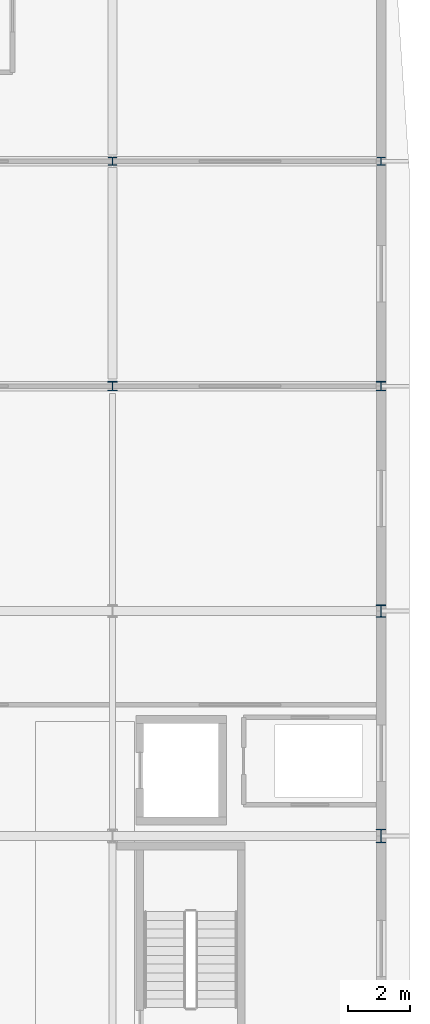
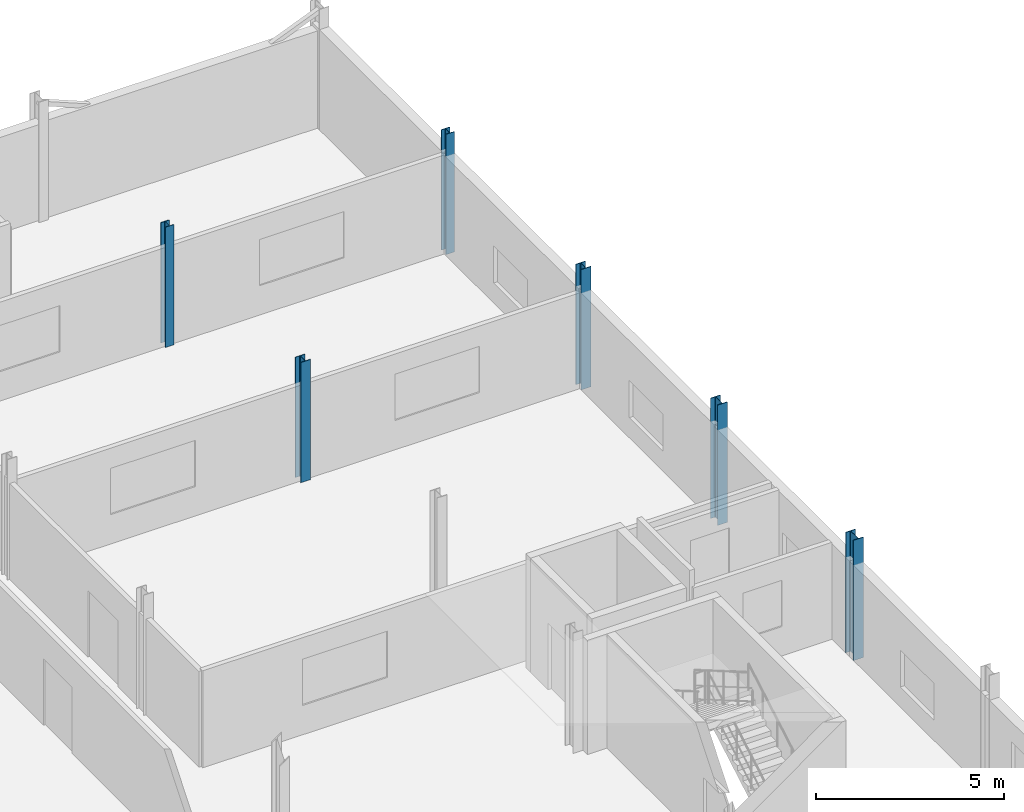
# One storey, part 17 of 78: 6 columns.
"""IFC4 building model written with IfcOpenShell, lengths in metres."""

import ifcopenshell
import ifcopenshell.guid

model = None  # the IFC model being written
_history = None  # IfcOwnerHistory: only IFC2X3 demands one
_inside = {}  # id of a spatial element -> (the spatial element, [elements in it])
_under = {}  # id of a project, library or spatial element -> (it, [spatial elements below it])
_declared = {}  # id of a project -> (the project, [libraries it declares])
_typed = {}  # id of a type object -> (the type object, [elements of that type])
_made_of = {}  # id of a material, layer set ... -> (it, [elements and type objects made of it])


def new_model(schema):
    """Start an empty IFC model of exactly this schema.

    Asked for "IFC4X3", IfcOpenShell would pick the latest addendum, in which some entities
    have other attributes; the version numbers below select the first issue.
    IFC2X3 requires an IfcOwnerHistory on every rooted entity: one is made here for all.
    """
    global model, _history
    if schema == "IFC4X3":
        model = ifcopenshell.file(schema_version=(4, 3, 0, 0))
    else:
        model = ifcopenshell.file(schema=schema)
    _inside.clear()
    _under.clear()
    _declared.clear()
    _typed.clear()
    _made_of.clear()
    _history = None
    if model.schema == "IFC2X3":
        org = make("IfcOrganization", Name="unknown")
        user = make(
            "IfcPersonAndOrganization",
            ThePerson=make("IfcPerson", FamilyName="unknown"),
            TheOrganization=org,
        )
        app = make(
            "IfcApplication",
            ApplicationDeveloper=org,
            Version="unknown",
            ApplicationFullName="unknown",
            ApplicationIdentifier="unknown",
        )
        _history = make(
            "IfcOwnerHistory",
            OwningUser=user,
            OwningApplication=app,
            ChangeAction="ADDED",
            CreationDate=0,
        )
    return model


def make(cls, **values):
    """One entity of the class cls with the attributes given. An attribute that is None is left unset."""
    return model.create_entity(
        cls, **{name: value for name, value in values.items() if value is not None}
    )


def rooted(cls, **values):
    """An entity with a GlobalId (a new one), such as an element, a storey or a relation."""
    return make(cls, GlobalId=ifcopenshell.guid.new(), OwnerHistory=_history, **values)


def si_unit(unit_type, name, prefix=None):
    """IfcSIUnit, for example si_unit("LENGTHUNIT", "METRE", prefix="MILLI")."""
    return make("IfcSIUnit", UnitType=unit_type, Prefix=prefix, Name=name)


def assignment(units):
    """IfcUnitAssignment: the units of a project."""
    return None if units is None else make("IfcUnitAssignment", Units=units)


def point(xyz):
    """IfcCartesianPoint."""
    return None if xyz is None else make("IfcCartesianPoint", Coordinates=xyz)


def direction(xyz):
    """IfcDirection."""
    return None if xyz is None else make("IfcDirection", DirectionRatios=xyz)


def frame(location, z_axis=None, x_axis=None):
    """IfcAxis2Placement3D, a coordinate frame: its origin and axes. An axis left out is left unset."""
    return make(
        "IfcAxis2Placement3D",
        Location=point(location),
        Axis=direction(z_axis),
        RefDirection=direction(x_axis),
    )


def frame_2d(location, x_axis=None):
    """IfcAxis2Placement2D, a coordinate frame in the plane: its origin and x axis."""
    return make(
        "IfcAxis2Placement2D", Location=point(location), RefDirection=direction(x_axis)
    )


def origin():
    """The frame at (0, 0, 0) with its axes left unset."""
    return frame((0.0, 0.0, 0.0))


def origin_2d():
    """The frame at (0, 0) in the plane with its x axis left unset."""
    return frame_2d((0.0, 0.0))


def place(relative_to, where):
    """IfcLocalPlacement: puts the frame where relative to a parent placement (None: the world)."""
    return make(
        "IfcLocalPlacement", PlacementRelTo=relative_to, RelativePlacement=where
    )


def context(
    kind, dimensions, precision=None, world=None, true_north=None, identifier=None
):
    """IfcGeometricRepresentationContext, for example the 3D "Model" context."""
    return make(
        "IfcGeometricRepresentationContext",
        ContextIdentifier=identifier,
        ContextType=kind,
        CoordinateSpaceDimension=dimensions,
        Precision=precision,
        WorldCoordinateSystem=world,
        TrueNorth=true_north,
    )


def subcontext(parent, identifier, kind, view, scale=None):
    """IfcGeometricRepresentationSubContext, for example "Body" below "Model"."""
    return make(
        "IfcGeometricRepresentationSubContext",
        ContextIdentifier=identifier,
        ContextType=kind,
        ParentContext=parent,
        TargetScale=scale,
        TargetView=view,
    )


def project(units=None, contexts=None):
    """IfcProject with its units and contexts."""
    return rooted(
        "IfcProject",
        Name="project",
        RepresentationContexts=contexts,
        UnitsInContext=assignment(units),
    )


def spatial(cls, under=None, at=None, **own):
    """A site, building, storey or space (cls), placed at a placement, below another one or the project."""
    s = rooted(cls, ObjectPlacement=at, **own)
    if under is not None:
        _under.setdefault(under.id(), (under, []))[1].append(s)
    return s


def profile(cls, at=None, kind="AREA", **sizes):
    """A parametric profile (cls). Its sizes go by their IFC names, for example OverallWidth=200.0."""
    return make(cls, ProfileType=kind, Position=at, **sizes)


def i_section(**sizes):
    """IfcIShapeProfileDef."""
    return profile("IfcIShapeProfileDef", **sizes)


def extrude(swept, where, along, depth):
    """IfcExtrudedAreaSolid: the profile swept, set in the frame where, extruded along a direction by depth."""
    return make(
        "IfcExtrudedAreaSolid",
        SweptArea=swept,
        Position=where,
        ExtrudedDirection=direction(along),
        Depth=depth,
    )


def shape(context_of_items, identifier, shape_type, items):
    """IfcShapeRepresentation: the items that make up one representation, for example the "Body"."""
    return make(
        "IfcShapeRepresentation",
        ContextOfItems=context_of_items,
        RepresentationIdentifier=identifier,
        RepresentationType=shape_type,
        Items=items,
    )


def material(Name=None, Category=None):
    """IfcMaterial."""
    return make("IfcMaterial", Name=Name, Category=Category)


def material_profile(
    of_material, cross_section, Name=None, Category=None, Priority=None
):
    """IfcMaterialProfile: a cross section and its material."""
    return make(
        "IfcMaterialProfile",
        Name=Name,
        Material=of_material,
        Profile=cross_section,
        Priority=Priority,
        Category=Category,
    )


def profile_set(profiles, Name=None, composite=None):
    """IfcMaterialProfileSet."""
    return make(
        "IfcMaterialProfileSet",
        Name=Name,
        MaterialProfiles=profiles,
        CompositeProfile=composite,
    )


def made_of(thing, what):
    """Note that an element or type object is made of a material, layer set ...; save() writes the relation."""
    if what is not None:
        _made_of.setdefault(what.id(), (what, []))[1].append(thing)
    return thing


def type_object(cls, material=None, **own):
    """A type object (cls), such as IfcWallType, which elements share."""
    return made_of(rooted(cls, **own), material)


def element(
    cls,
    number,
    at=None,
    inside=None,
    cuts=None,
    type_object=None,
    material=None,
    context=None,
    identifier="Body",
    shape_type=None,
    held_by="IfcProductDefinitionShape",
    body=None,
    shapes=None,
    **own,
):
    """One element of the class cls, such as IfcWall. Its Tag is "e" and its number.

    at: its placement. inside: the storey or other place that contains it. cuts: it is an
    opening in that element (IfcRelVoidsElement). A single representation is given by context,
    identifier, shape_type and body (its items); several are given by shapes. held_by: the class
    of the entity that holds the representations. save() writes the other relations.
    """
    e = rooted(cls, Tag="e%d" % number, ObjectPlacement=at, **own)
    if body is not None:
        shapes = [shape(context, identifier, shape_type, body)]
    if shapes is not None:
        e.Representation = make(held_by, Representations=shapes)
    if inside is not None:
        _inside.setdefault(inside.id(), (inside, []))[1].append(e)
    if cuts is not None:
        rooted(
            "IfcRelVoidsElement", RelatingBuildingElement=cuts, RelatedOpeningElement=e
        )
    if type_object is not None:
        _typed.setdefault(type_object.id(), (type_object, []))[1].append(e)
    return made_of(e, material)


def aggregate(whole, parts):
    """IfcRelAggregates: a whole, such as a stair, and the parts it consists of."""
    return rooted("IfcRelAggregates", RelatingObject=whole, RelatedObjects=parts)


def save(model, path):
    """Write the relations noted so far, then the file.

    IfcRelAggregates (storeys below a building ...), IfcRelContainedInSpatialStructure (elements
    in a storey), IfcRelDefinesByType, IfcRelAssociatesMaterial and IfcRelDeclares: one each for
    every whole, place, type object, material and project.
    """
    for whole, parts in _under.values():
        aggregate(whole, parts)
    for where, things in _inside.values():
        rooted(
            "IfcRelContainedInSpatialStructure",
            RelatedElements=things,
            RelatingStructure=where,
        )
    for kind, things in _typed.values():
        rooted("IfcRelDefinesByType", RelatedObjects=things, RelatingType=kind)
    for what, things in _made_of.values():
        rooted("IfcRelAssociatesMaterial", RelatedObjects=things, RelatingMaterial=what)
    for by, libraries in _declared.values():
        rooted("IfcRelDeclares", RelatingContext=by, RelatedDefinitions=libraries)
    model.write(path)


model = new_model("IFC4")

# Units and contexts
model_context = context("Model", 3, precision=1e-05, world=origin(), true_north=direction((0.0, 1.0)))
body_context = subcontext(model_context, "Body", "Model", "MODEL_VIEW")
ifc_project = project(units=[si_unit("LENGTHUNIT", "METRE"), si_unit("AREAUNIT", "SQUARE_METRE"), si_unit("VOLUMEUNIT", "CUBIC_METRE"), si_unit("PLANEANGLEUNIT", "RADIAN"), si_unit("MASSUNIT", "GRAM", prefix="KILO")], contexts=[model_context])

# Site, building, storey
site_placement = place(None, origin())
site = spatial("IfcSite", under=ifc_project, at=site_placement, CompositionType="ELEMENT")
building_placement = place(site_placement, origin())
building = spatial("IfcBuilding", under=site, at=building_placement, Name="Vinh Khe Railworks Police Headquarters", CompositionType="ELEMENT")
storey_placement = place(building_placement, frame((0.0, 0.0, 13.199951171875)))
storey = spatial("IfcBuildingStorey", under=building, at=storey_placement, Name="L03", CompositionType="ELEMENT", Elevation=13.199951171875)

# Columns
ifc_material = material(Name="Steel S355JR", Category="steel")
ifc_material_profile_1 = material_profile(ifc_material, i_section(OverallWidth=0.300048828125, OverallDepth=0.389892578125, WebThickness=0.010986328125, FlangeThickness=0.01904296875, FilletRadius=0.027099609375, at=origin_2d()), Name="HEA 400")
ifc_profile_set_1 = profile_set([ifc_material_profile_1], Name="Steel S355JR")
column_type_1 = type_object("IfcColumnType", Name="Steel Column HEA 400", PredefinedType="COLUMN", material=ifc_profile_set_1)
column_1_placement = place(storey_placement, frame((113.60009765625, 145.199951171875, 0.0), z_axis=(0.0, 0.0, 1.0), x_axis=(1.0, 0.0, 0.0)))
element("IfcColumn", 1, at=column_1_placement, inside=storey, type_object=column_type_1, Name="Column COL-L03-SC-15-1432", PredefinedType="COLUMN", context=body_context, shape_type="SweptSolid", body=[
    extrude(i_section(OverallWidth=0.300048828125, OverallDepth=0.389892578125, WebThickness=0.010986328125, FlangeThickness=0.01904296875, FilletRadius=0.027099609375, at=origin_2d()), origin(), (0.0, 0.0, 1.0), 3.900146484375),
])
ifc_material_profile_2 = material_profile(ifc_material, i_section(OverallWidth=0.300048828125, OverallDepth=0.43994140625, WebThickness=0.011474609375, FlangeThickness=0.02099609375, FilletRadius=0.027099609375, at=origin_2d()), Name="HEA 450")
ifc_profile_set_2 = profile_set([ifc_material_profile_2], Name="Steel S355JR")
column_type_2 = type_object("IfcColumnType", Name="Steel Column HEA 450", PredefinedType="COLUMN", material=ifc_profile_set_2)
column_2_placement = place(storey_placement, frame((113.60009765625, 138.0, 0.0), z_axis=(0.0, 0.0, 1.0), x_axis=(1.0, 0.0, 0.0)))
element("IfcColumn", 2, at=column_2_placement, inside=storey, type_object=column_type_2, Name="Column COL-L03-SC-14-1425", PredefinedType="COLUMN", context=body_context, shape_type="SweptSolid", body=[
    extrude(i_section(OverallWidth=0.300048828125, OverallDepth=0.43994140625, WebThickness=0.011474609375, FlangeThickness=0.02099609375, FilletRadius=0.027099609375, at=origin_2d()), origin(), (0.0, 0.0, 1.0), 3.900146484375),
])
ifc_material_profile_3 = material_profile(ifc_material, i_section(OverallWidth=0.260009765625, OverallDepth=0.260009765625, WebThickness=0.010009765625, FlangeThickness=0.017578125, FilletRadius=0.02392578125, at=origin_2d()), Name="HEB 260")
ifc_profile_set_3 = profile_set([ifc_material_profile_3], Name="Steel S355JR")
column_type_3 = type_object("IfcColumnType", Name="Steel Column HEB 260", PredefinedType="COLUMN", material=ifc_profile_set_3)
for number, where, z_axis, x_axis, name in (
    (3, (105.0, 159.60009765625, 0.0), (0.0, 0.0, 1.0), (1.0, 0.0, 0.0), "Column COL-L03-SC-12-1385"),
    (4, (113.60009765625, 159.60009765625, 0.0), (0.0, 0.0, 1.0), (1.0, 0.0, 0.0), "Column COL-L03-SC-12-1446"),
):
    element("IfcColumn", number, at=place(storey_placement, frame(where, z_axis=z_axis, x_axis=x_axis)), inside=storey, type_object=column_type_3, Name=name, PredefinedType="COLUMN", context=body_context, shape_type="SweptSolid", body=[
        extrude(i_section(OverallWidth=0.260009765625, OverallDepth=0.260009765625, WebThickness=0.010009765625, FlangeThickness=0.017578125, FilletRadius=0.02392578125, at=origin_2d()), origin(), (0.0, 0.0, 1.0), 3.900146484375),
    ])
ifc_material_profile_4 = material_profile(ifc_material, i_section(OverallWidth=0.300048828125, OverallDepth=0.300048828125, WebThickness=0.010986328125, FlangeThickness=0.01904296875, FilletRadius=0.027099609375, at=origin_2d()), Name="HEB 300")
ifc_profile_set_4 = profile_set([ifc_material_profile_4], Name="Steel S355JR")
column_type_4 = type_object("IfcColumnType", Name="Steel Column HEB 300", PredefinedType="COLUMN", material=ifc_profile_set_4)
for number, where, z_axis, x_axis, name in (
    (5, (105.0, 152.39990234375, 0.0), (0.0, 0.0, 1.0), (1.0, 0.0, 0.0), "Column COL-L03-SC-11-1378"),
    (6, (113.60009765625, 152.39990234375, 0.0), (0.0, 0.0, 1.0), (1.0, 0.0, 0.0), "Column COL-L03-SC-11-1439"),
):
    element("IfcColumn", number, at=place(storey_placement, frame(where, z_axis=z_axis, x_axis=x_axis)), inside=storey, type_object=column_type_4, Name=name, PredefinedType="COLUMN", context=body_context, shape_type="SweptSolid", body=[
        extrude(i_section(OverallWidth=0.300048828125, OverallDepth=0.300048828125, WebThickness=0.010986328125, FlangeThickness=0.01904296875, FilletRadius=0.027099609375, at=origin_2d()), origin(), (0.0, 0.0, 1.0), 3.900146484375),
    ])

save(model, "model.ifc")
